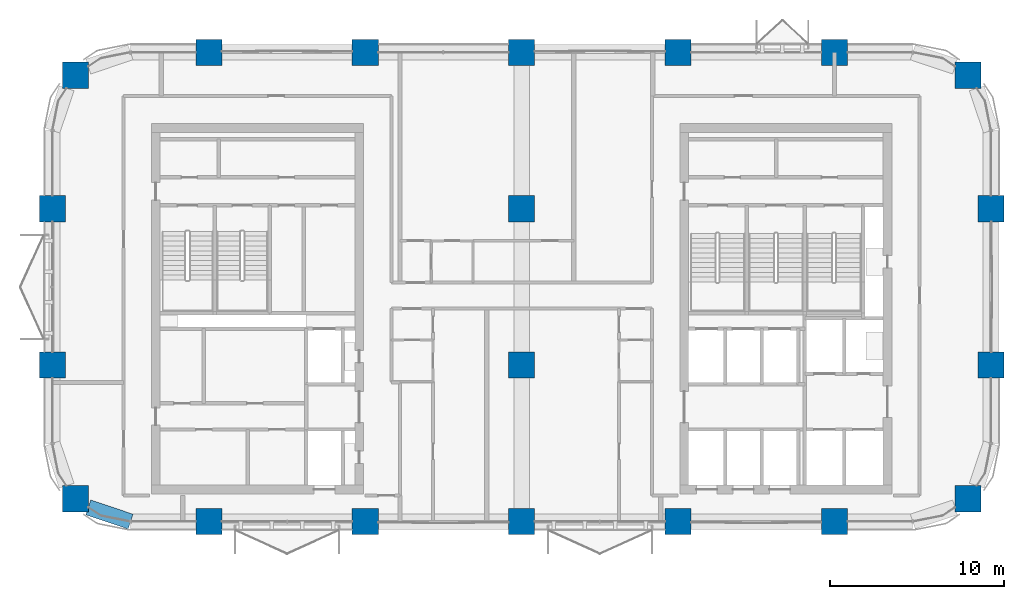
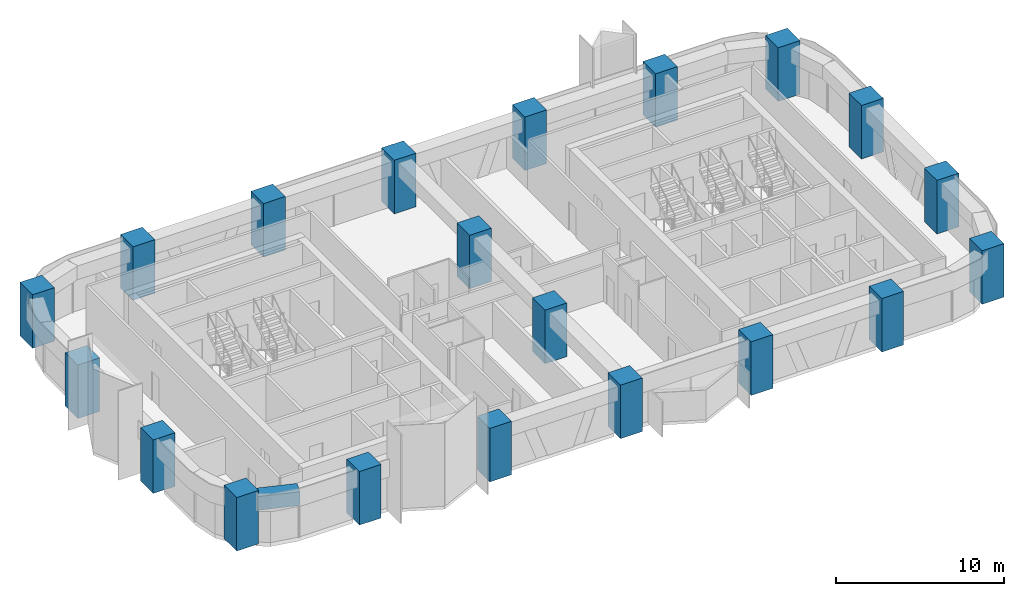
# One storey, part 1 of 14: 20 columns, 1 beam.
"""IFC4 building model written with IfcOpenShell, lengths in metres."""

from ifc_helpers import new_model, si_unit, direction, frame, origin, origin_2d, place, context, subcontext, project, spatial, rectangle, extrude, material, material_profile, profile_set, type_object, element, save


model = new_model("IFC4")

# Units and contexts
model_context = context("Model", 3, precision=1e-05, world=origin(), true_north=direction((0.0, 1.0)))
body_context = subcontext(model_context, "Body", "Model", "MODEL_VIEW")
ifc_project = project(units=[si_unit("LENGTHUNIT", "METRE"), si_unit("AREAUNIT", "SQUARE_METRE"), si_unit("VOLUMEUNIT", "CUBIC_METRE"), si_unit("PLANEANGLEUNIT", "RADIAN"), si_unit("MASSUNIT", "GRAM", prefix="KILO")], contexts=[model_context])

# Site, building, storey
site_placement = place(None, origin())
site = spatial("IfcSite", under=ifc_project, at=site_placement, CompositionType="ELEMENT")
building_placement = place(site_placement, origin())
building = spatial("IfcBuilding", under=site, at=building_placement, Name="Tessera Arch", CompositionType="ELEMENT")
storey_placement = place(building_placement, frame((0.0, 0.0, 142.699951171875)))
storey = spatial("IfcBuildingStorey", under=building, at=storey_placement, Name="L33", CompositionType="ELEMENT", Elevation=142.699951171875)

# Columns
ifc_material_1 = material(Name="Concrete C70/85", Category="concrete")
ifc_material_profile_1 = material_profile(ifc_material_1, rectangle(XDim=1.5, YDim=1.5, at=origin_2d()), Name="RC column 1500 x 1500 Concrete C70/85")
ifc_profile_set_1 = profile_set([ifc_material_profile_1], Name="Concrete C70/85")
column_type = type_object("IfcColumnType", Name="RC column 1500 x 1500 Concrete C70/85", PredefinedType="COLUMN", material=ifc_profile_set_1)
for number, where, z_axis, x_axis, name in (
    (1, (1.318115234375, 28.318115234375, 0.0), (0.0, 0.0, 1.0), (1.0, 0.0, 0.0), "Column C1D L33"),
    (2, (0.0, 36.0, 0.0), (0.0, 0.0, 1.0), (1.0, 0.0, 0.0), "Column C1E L33"),
    (3, (0.0, 45.0, 0.0), (0.0, 0.0, 1.0), (1.0, 0.0, 0.0), "Column C1F L33"),
    (4, (1.318115234375, 52.681884765625, 0.0), (0.0, 0.0, 1.0), (1.0, 0.0, 0.0), "Column C1G L33"),
    (5, (9.0, 27.0, 0.0), (0.0, 0.0, 1.0), (1.0, 0.0, 0.0), "Column C2D L33"),
    (6, (9.0, 54.0, 0.0), (0.0, 0.0, 1.0), (1.0, 0.0, 0.0), "Column C2G L33"),
    (7, (18.0, 27.0, 0.0), (0.0, 0.0, 1.0), (1.0, 0.0, 0.0), "Column C3D L33"),
    (8, (18.0, 54.0, 0.0), (0.0, 0.0, 1.0), (1.0, 0.0, 0.0), "Column C3G L33"),
    (9, (27.0, 27.0, 0.0), (0.0, 0.0, 1.0), (1.0, 0.0, 0.0), "Column C4D L33"),
    (10, (27.0, 36.0, 0.0), (0.0, 0.0, 1.0), (1.0, 0.0, 0.0), "Column C4E L33"),
    (11, (27.0, 45.0, 0.0), (0.0, 0.0, 1.0), (1.0, 0.0, 0.0), "Column C4F L33"),
    (12, (27.0, 54.0, 0.0), (0.0, 0.0, 1.0), (1.0, 0.0, 0.0), "Column C4G L33"),
    (13, (36.0, 27.0, 0.0), (0.0, 0.0, 1.0), (1.0, 0.0, 0.0), "Column C5D L33"),
    (14, (36.0, 54.0, 0.0), (0.0, 0.0, 1.0), (1.0, 0.0, 0.0), "Column C5G L33"),
    (15, (45.0, 27.0, 0.0), (0.0, 0.0, 1.0), (1.0, 0.0, 0.0), "Column C6D L33"),
    (16, (45.0, 54.0, 0.0), (0.0, 0.0, 1.0), (1.0, 0.0, 0.0), "Column C6G L33"),
    (17, (52.681884765625, 28.318115234375, 0.0), (0.0, 0.0, 1.0), (1.0, 0.0, 0.0), "Column C7D L33"),
    (18, (54.0, 36.0, 0.0), (0.0, 0.0, 1.0), (1.0, 0.0, 0.0), "Column C7E L33"),
    (19, (54.0, 45.0, 0.0), (0.0, 0.0, 1.0), (1.0, 0.0, 0.0), "Column C7F L33"),
    (20, (52.681884765625, 52.681884765625, 0.0), (0.0, 0.0, 1.0), (1.0, 0.0, 0.0), "Column C7G L33"),
):
    element("IfcColumn", number, at=place(storey_placement, frame(where, z_axis=z_axis, x_axis=x_axis)), inside=storey, type_object=column_type, Name=name, PredefinedType="COLUMN", context=body_context, shape_type="SweptSolid", body=[
        extrude(rectangle(XDim=1.5, YDim=1.5, at=origin_2d()), origin(), (0.0, 0.0, 1.0), 3.900146484375),
    ])

# Beam
ifc_material_2 = material(Name="Concrete C70/85", Category="concrete")
ifc_material_profile_2 = material_profile(ifc_material_2, rectangle(XDim=0.89990234375, YDim=1.0, at=origin_2d()), Name="RC spandrel beam 900 x 1000 Concrete C70/85")
ifc_profile_set_2 = profile_set([ifc_material_profile_2], Name="Concrete C70/85")
beam_type = type_object("IfcBeamType", Name="RC spandrel beam 900 x 1000 Concrete C70/85", PredefinedType="BEAM", material=ifc_profile_set_2)
beam_placement = place(storey_placement, frame((2.068115234375, 27.81689453125, 3.10009765625), z_axis=(0.947947973234, -0.31842525032, 0.0), x_axis=(0.31842525032, 0.947947973234, 0.0)))
element("IfcBeam", 21, at=beam_placement, inside=storey, type_object=beam_type, Name="Spandrel beam L33 S27.0/0.1", PredefinedType="BEAM", context=body_context, shape_type="SweptSolid", body=[
    extrude(rectangle(XDim=0.89990234375, YDim=1.0, at=origin_2d()), origin(), (0.0, 0.0, 1.0), 2.5654296875),
])

save(model, "model.ifc")
